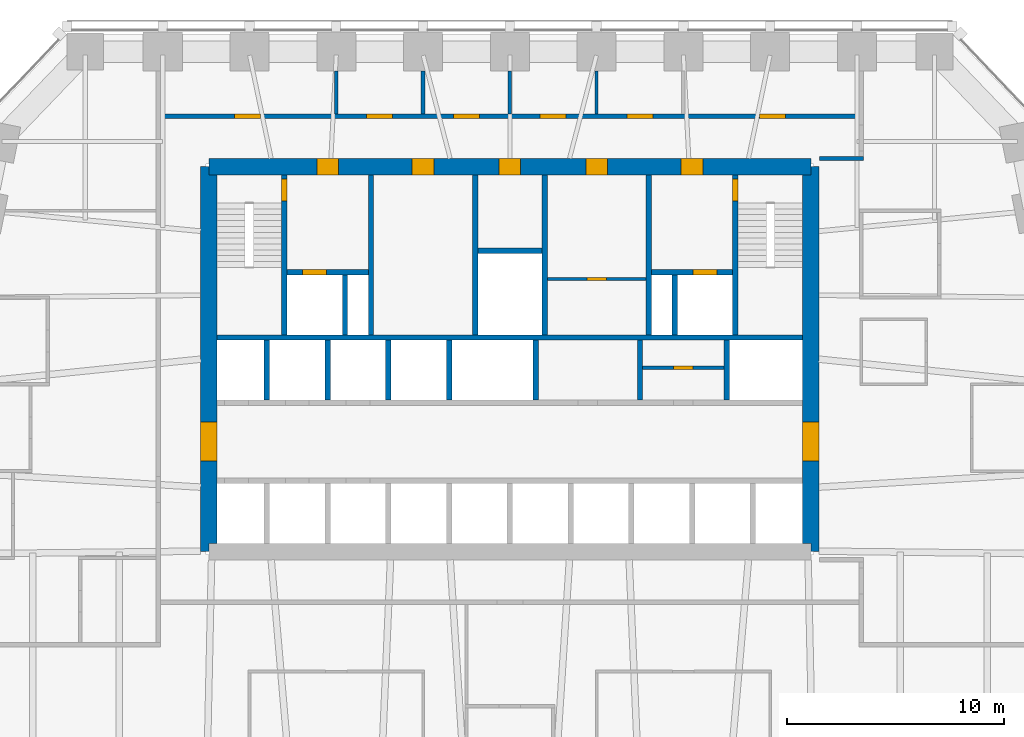
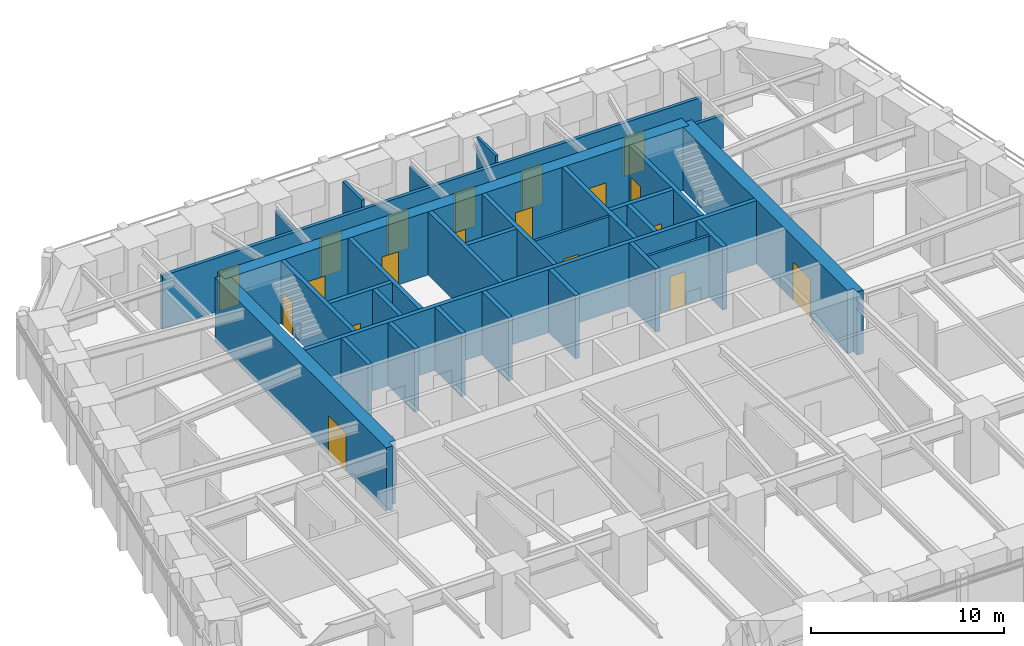
# One storey, part 7 of 10: 30 walls, 19 doors, 19 openings.
"""IFC4 building model written with IfcOpenShell, lengths in metres."""

from ifc_helpers import new_model, si_unit, direction, frame, frame_2d, origin, place, context, subcontext, project, spatial, polyline, rectangle, outline, extrude, material, layer, layer_set, type_object, element, fill, save


model = new_model("IFC4")

# Units and contexts
model_context = context("Model", 3, precision=1e-05, world=origin(), true_north=direction((0.0, 1.0)))
body_context = subcontext(model_context, "Body", "Model", "MODEL_VIEW")
ifc_project = project(units=[si_unit("LENGTHUNIT", "METRE"), si_unit("AREAUNIT", "SQUARE_METRE"), si_unit("VOLUMEUNIT", "CUBIC_METRE"), si_unit("PLANEANGLEUNIT", "RADIAN"), si_unit("MASSUNIT", "GRAM", prefix="KILO")], contexts=[model_context])

# Site, building, storey
site_placement = place(None, origin())
site = spatial("IfcSite", under=ifc_project, at=site_placement, CompositionType="ELEMENT")
building_placement = place(site_placement, origin())
building = spatial("IfcBuilding", under=site, at=building_placement, Name="Isbrekke Arena Tower", CompositionType="ELEMENT")
storey_placement = place(building_placement, frame((0.0, 0.0, 123.0)))
storey = spatial("IfcBuildingStorey", under=building, at=storey_placement, Name="L27", CompositionType="ELEMENT", Elevation=123.0)

# Wall, opening, door
ifc_material_1 = material(Name="Concrete B55 (C55/67)", Category="concrete")
ifc_layer_1 = layer(ifc_material_1, 0.75)
ifc_layer_set_1 = layer_set([ifc_layer_1], Name="CW3 CORE WALL 750")
wall_type_1 = type_object("IfcWallType", Name="CW3 CORE WALL 750", PredefinedType="SHEAR", material=ifc_layer_set_1)
wall_1_placement = place(storey_placement, frame((13.875, 6.125, 0.0), z_axis=(0.0, 0.0, 1.0), x_axis=(0.0, 1.0, 0.0)))
wall_1 = element("IfcWall", 1, at=wall_1_placement, inside=storey, type_object=wall_type_1, Name="Core wall E L27", PredefinedType="SHEAR", context=body_context, shape_type="SweptSolid", body=[
    extrude(outline(polyline([(0.0, -0.375), (17.75, -0.375), (17.75, 0.0), (17.375, 0.0), (17.375, 0.375), (0.375, 0.375), (0.375, 0.0), (0.0, 0.0), (0.0, -0.375)])), origin(), (0.0, 0.0, 1.0), 4.0),
])
opening_1_placement = place(wall_1_placement, frame((4.175048828125, 0.0, 0.0)))
opening_1 = element("IfcOpeningElement", 2, at=opening_1_placement, cuts=wall_1, Name="Opening D1", PredefinedType="OPENING", context=body_context, shape_type="SweptSolid", body=[
    extrude(rectangle(XDim=1.800048828125, YDim=2.39990234375, at=frame_2d((0.89990234375, 1.199951171875))), frame((0.0, 0.389892578125, 0.0), z_axis=(0.0, -1.0, 0.0), x_axis=(1.0, 0.0, 0.0)), (0.0, 0.0, 1.0), 0.77978515625),
])
ifc_material_2 = material(Name="Steel-framed glazed fire door", Category="steel")
door_type_1 = type_object("IfcDoorType", Name="D1 CORE LOBBY DOOR 1800 x 2400", OperationType="DOUBLE_DOOR_SINGLE_SWING", PredefinedType="DOOR", material=ifc_material_2)
door_1_placement = place(opening_1_placement, origin())
door_1 = element("IfcDoor", 3, at=door_1_placement, inside=storey, type_object=door_type_1, Name="D1 lift lobby door east L27", OperationType="DOUBLE_DOOR_SINGLE_SWING", OverallHeight=2.39990234375, OverallWidth=1.800048828125, PredefinedType="DOOR", context=body_context, shape_type="SweptSolid", body=[
    extrude(rectangle(XDim=1.800048828125, YDim=2.39990234375, at=frame_2d((0.89990234375, 1.199951171875))), frame((0.0, 0.374755859375, 0.0), z_axis=(0.0, -1.0, 0.0), x_axis=(1.0, 0.0, 0.0)), (0.0, 0.0, 1.0), 0.74951171875),
])
fill(opening_1, door_1)

# Wall, openings, doors
wall_2_placement = place(storey_placement, frame((13.875, 23.875, 0.0), z_axis=(0.0, 0.0, 1.0), x_axis=(-1.0, 0.0, 0.0)))
wall_2 = element("IfcWall", 4, at=wall_2_placement, inside=storey, type_object=wall_type_1, Name="Core wall N L27", PredefinedType="SHEAR", context=body_context, shape_type="SweptSolid", body=[
    extrude(rectangle(XDim=27.75, YDim=0.75, at=frame_2d((13.875, 0.0))), origin(), (0.0, 0.0, 1.0), 4.0),
])
opening_2_placement = place(wall_2_placement, frame((21.77490234375, 0.0, 0.0)))
opening_2 = element("IfcOpeningElement", 5, at=opening_2_placement, cuts=wall_2, Name="Opening D3", PredefinedType="OPENING", context=body_context, shape_type="SweptSolid", body=[
    extrude(rectangle(XDim=1.0, YDim=2.10009765625, at=frame_2d((0.5, 1.050048828125))), frame((0.0, 0.389892578125, 0.0), z_axis=(0.0, -1.0, 0.0), x_axis=(1.0, 0.0, 0.0)), (0.0, 0.0, 1.0), 0.77978515625),
])
opening_3_placement = place(wall_2_placement, frame((4.97509765625, 0.0, 0.0)))
opening_3 = element("IfcOpeningElement", 6, at=opening_3_placement, cuts=wall_2, Name="Opening D3", PredefinedType="OPENING", context=body_context, shape_type="SweptSolid", body=[
    extrude(rectangle(XDim=1.0, YDim=2.10009765625, at=frame_2d((0.5, 1.050048828125))), frame((0.0, 0.389892578125, 0.0), z_axis=(0.0, -1.0, 0.0), x_axis=(1.0, 0.0, 0.0)), (0.0, 0.0, 1.0), 0.77978515625),
])
opening_4_placement = place(wall_2_placement, frame((17.375, 0.0, 0.0)))
opening_4 = element("IfcOpeningElement", 7, at=opening_4_placement, cuts=wall_2, Name="Opening D4", PredefinedType="OPENING", context=body_context, shape_type="SweptSolid", body=[
    extrude(rectangle(XDim=1.0, YDim=2.10009765625, at=frame_2d((0.5, 1.050048828125))), frame((0.0, 0.389892578125, 0.0), z_axis=(0.0, -1.0, 0.0), x_axis=(1.0, 0.0, 0.0)), (0.0, 0.0, 1.0), 0.77978515625),
])
opening_5_placement = place(wall_2_placement, frame((13.375, 0.0, 0.0)))
opening_5 = element("IfcOpeningElement", 8, at=opening_5_placement, cuts=wall_2, Name="Opening D4", PredefinedType="OPENING", context=body_context, shape_type="SweptSolid", body=[
    extrude(rectangle(XDim=1.0, YDim=2.10009765625, at=frame_2d((0.5, 1.050048828125))), frame((0.0, 0.389892578125, 0.0), z_axis=(0.0, -1.0, 0.0), x_axis=(1.0, 0.0, 0.0)), (0.0, 0.0, 1.0), 0.77978515625),
])
opening_6_placement = place(wall_2_placement, frame((9.375, 0.0, 0.0)))
opening_6 = element("IfcOpeningElement", 9, at=opening_6_placement, cuts=wall_2, Name="Opening D4", PredefinedType="OPENING", context=body_context, shape_type="SweptSolid", body=[
    extrude(rectangle(XDim=1.0, YDim=2.10009765625, at=frame_2d((0.5, 1.050048828125))), frame((0.0, 0.389892578125, 0.0), z_axis=(0.0, -1.0, 0.0), x_axis=(1.0, 0.0, 0.0)), (0.0, 0.0, 1.0), 0.77978515625),
])
ifc_material_3 = material(Name="Steel fire door", Category="steel")
door_type_2 = type_object("IfcDoorType", Name="D3 FIRE LOBBY DOOR 1000 x 2100", OperationType="SINGLE_SWING_RIGHT", PredefinedType="DOOR", material=ifc_material_3)
door_2_placement = place(opening_2_placement, origin())
door_2 = element("IfcDoor", 10, at=door_2_placement, inside=storey, type_object=door_type_2, Name="D3 fire-fighting lobby door L27", OperationType="SINGLE_SWING_RIGHT", OverallHeight=2.10009765625, OverallWidth=1.0, PredefinedType="DOOR", context=body_context, shape_type="SweptSolid", body=[
    extrude(rectangle(XDim=1.0, YDim=2.10009765625, at=frame_2d((0.5, 1.050048828125))), frame((0.0, 0.374755859375, 0.0), z_axis=(0.0, -1.0, 0.0), x_axis=(1.0, 0.0, 0.0)), (0.0, 0.0, 1.0), 0.74951171875),
])
fill(opening_2, door_2)
door_3_placement = place(opening_3_placement, origin())
door_3 = element("IfcDoor", 11, at=door_3_placement, inside=storey, type_object=door_type_2, Name="D3 fire-fighting lobby door L27", OperationType="SINGLE_SWING_RIGHT", OverallHeight=2.10009765625, OverallWidth=1.0, PredefinedType="DOOR", context=body_context, shape_type="SweptSolid", body=[
    extrude(rectangle(XDim=1.0, YDim=2.10009765625, at=frame_2d((0.5, 1.050048828125))), frame((0.0, 0.374755859375, 0.0), z_axis=(0.0, -1.0, 0.0), x_axis=(1.0, 0.0, 0.0)), (0.0, 0.0, 1.0), 0.74951171875),
])
fill(opening_3, door_3)
ifc_material_4 = material(Name="Timber door", Category="wood")
door_type_3 = type_object("IfcDoorType", Name="D4 WC DOOR 1000 x 2100", OperationType="SINGLE_SWING_LEFT", PredefinedType="DOOR", material=ifc_material_4)
door_4_placement = place(opening_4_placement, origin())
door_4 = element("IfcDoor", 12, at=door_4_placement, inside=storey, type_object=door_type_3, Name="D4 wc female door L27", OperationType="SINGLE_SWING_LEFT", OverallHeight=2.10009765625, OverallWidth=1.0, PredefinedType="DOOR", context=body_context, shape_type="SweptSolid", body=[
    extrude(rectangle(XDim=1.0, YDim=2.10009765625, at=frame_2d((0.5, 1.050048828125))), frame((0.0, 0.374755859375, 0.0), z_axis=(0.0, -1.0, 0.0), x_axis=(1.0, 0.0, 0.0)), (0.0, 0.0, 1.0), 0.74951171875),
])
fill(opening_4, door_4)
door_5_placement = place(opening_5_placement, origin())
door_5 = element("IfcDoor", 13, at=door_5_placement, inside=storey, type_object=door_type_3, Name="D4 accessible wc door L27", OperationType="SINGLE_SWING_LEFT", OverallHeight=2.10009765625, OverallWidth=1.0, PredefinedType="DOOR", context=body_context, shape_type="SweptSolid", body=[
    extrude(rectangle(XDim=1.0, YDim=2.10009765625, at=frame_2d((0.5, 1.050048828125))), frame((0.0, 0.374755859375, 0.0), z_axis=(0.0, -1.0, 0.0), x_axis=(1.0, 0.0, 0.0)), (0.0, 0.0, 1.0), 0.74951171875),
])
fill(opening_5, door_5)
door_6_placement = place(opening_6_placement, origin())
door_6 = element("IfcDoor", 14, at=door_6_placement, inside=storey, type_object=door_type_3, Name="D4 wc male door L27", OperationType="SINGLE_SWING_LEFT", OverallHeight=2.10009765625, OverallWidth=1.0, PredefinedType="DOOR", context=body_context, shape_type="SweptSolid", body=[
    extrude(rectangle(XDim=1.0, YDim=2.10009765625, at=frame_2d((0.5, 1.050048828125))), frame((0.0, 0.374755859375, 0.0), z_axis=(0.0, -1.0, 0.0), x_axis=(1.0, 0.0, 0.0)), (0.0, 0.0, 1.0), 0.74951171875),
])
fill(opening_6, door_6)

# Wall, opening, door
wall_3_placement = place(storey_placement, frame((-13.875, 23.875, 0.0), z_axis=(0.0, 0.0, 1.0), x_axis=(0.0, -1.0, 0.0)))
wall_3 = element("IfcWall", 15, at=wall_3_placement, inside=storey, type_object=wall_type_1, Name="Core wall W L27", PredefinedType="SHEAR", context=body_context, shape_type="SweptSolid", body=[
    extrude(outline(polyline([(0.0, -0.375), (17.75, -0.375), (17.75, 0.0), (17.375, 0.0), (17.375, 0.375), (0.375, 0.375), (0.375, 0.0), (0.0, 0.0), (0.0, -0.375)])), origin(), (0.0, 0.0, 1.0), 4.0),
])
opening_7_placement = place(wall_3_placement, frame((11.77490234375, 0.0, 0.0)))
opening_7 = element("IfcOpeningElement", 16, at=opening_7_placement, cuts=wall_3, Name="Opening D1", PredefinedType="OPENING", context=body_context, shape_type="SweptSolid", body=[
    extrude(rectangle(XDim=1.800048828125, YDim=2.39990234375, at=frame_2d((0.89990234375, 1.199951171875))), frame((0.0, 0.389892578125, 0.0), z_axis=(0.0, -1.0, 0.0), x_axis=(1.0, 0.0, 0.0)), (0.0, 0.0, 1.0), 0.77978515625),
])
door_7_placement = place(opening_7_placement, origin())
door_7 = element("IfcDoor", 17, at=door_7_placement, inside=storey, type_object=door_type_1, Name="D1 lift lobby door west L27", OperationType="DOUBLE_DOOR_SINGLE_SWING", OverallHeight=2.39990234375, OverallWidth=1.800048828125, PredefinedType="DOOR", context=body_context, shape_type="SweptSolid", body=[
    extrude(rectangle(XDim=1.800048828125, YDim=2.39990234375, at=frame_2d((0.89990234375, 1.199951171875))), frame((0.0, 0.374755859375, 0.0), z_axis=(0.0, -1.0, 0.0), x_axis=(1.0, 0.0, 0.0)), (0.0, 0.0, 1.0), 0.74951171875),
])
fill(opening_7, door_7)

# Walls
ifc_material_5 = material(Name="Concrete B45 (C45/55)", Category="concrete")
ifc_layer_2 = layer(ifc_material_5, 0.25)
ifc_layer_set_2 = layer_set([ifc_layer_2], Name="CW6 SHAFT WALL 250")
wall_type_2 = type_object("IfcWallType", Name="CW6 SHAFT WALL 250", PredefinedType="SHEAR", material=ifc_layer_set_2)
wall_4_placement = place(storey_placement, frame((-13.5, 16.0, 0.0), z_axis=(0.0, 0.0, 1.0), x_axis=(1.0, 0.0, 0.0)))
element("IfcWall", 18, at=wall_4_placement, inside=storey, type_object=wall_type_2, Name="Core wall NB L27", PredefinedType="SHEAR", context=body_context, shape_type="SweptSolid", body=[
    extrude(rectangle(XDim=27.0, YDim=0.25, at=frame_2d((13.5, 0.0))), origin(), (0.0, 0.0, 1.0), 4.0),
])
for number, where, z_axis, x_axis, name in (
    (19, (-11.199951171875, 13.125, 0.0), (0.0, 0.0, 1.0), (0.0, 1.0, 0.0), "Core wall SN01 L27"),
    (20, (-8.39990234375, 13.125, 0.0), (0.0, 0.0, 1.0), (0.0, 1.0, 0.0), "Core wall SN02 L27"),
    (21, (-5.60009765625, 13.125, 0.0), (0.0, 0.0, 1.0), (0.0, 1.0, 0.0), "Core wall SN03 L27"),
    (22, (-2.800048828125, 13.125, 0.0), (0.0, 0.0, 1.0), (0.0, 1.0, 0.0), "Core wall SN04 L27"),
    (23, (1.199951171875, 13.125, 0.0), (0.0, 0.0, 1.0), (0.0, 1.0, 0.0), "Core wall SN05 L27"),
    (24, (6.0, 13.125, 0.0), (0.0, 0.0, 1.0), (0.0, 1.0, 0.0), "Core wall SN06 L27"),
    (25, (10.0, 13.125, 0.0), (0.0, 0.0, 1.0), (0.0, 1.0, 0.0), "Core wall SN07 L27"),
):
    element("IfcWall", number, at=place(storey_placement, frame(where, z_axis=z_axis, x_axis=x_axis)), inside=storey, type_object=wall_type_2, Name=name, PredefinedType="SHEAR", context=body_context, shape_type="SweptSolid", body=[
        extrude(rectangle(XDim=2.75, YDim=0.25, at=frame_2d((1.375, 0.0))), origin(), (0.0, 0.0, 1.0), 4.0),
    ])

# Wall, opening, door
wall_5_placement = place(storey_placement, frame((-10.39990234375, 16.125, 0.0), z_axis=(0.0, 0.0, 1.0), x_axis=(0.0, 1.0, 0.0)))
wall_5 = element("IfcWall", 26, at=wall_5_placement, inside=storey, type_object=wall_type_2, Name="Core wall NV01 L27", PredefinedType="SHEAR", context=body_context, shape_type="SweptSolid", body=[
    extrude(rectangle(XDim=7.375, YDim=0.25, at=frame_2d((3.6875, 0.0))), origin(), (0.0, 0.0, 1.0), 4.0),
])
opening_8_placement = place(wall_5_placement, frame((6.175048828125, 0.0, 0.0)))
opening_8 = element("IfcOpeningElement", 27, at=opening_8_placement, cuts=wall_5, Name="Opening D2", PredefinedType="OPENING", context=body_context, shape_type="SweptSolid", body=[
    extrude(rectangle(XDim=1.0, YDim=2.10009765625, at=frame_2d((0.5, 1.050048828125))), frame((0.0, 0.139892578125, 0.0), z_axis=(0.0, -1.0, 0.0), x_axis=(1.0, 0.0, 0.0)), (0.0, 0.0, 1.0), 0.27978515625),
])
ifc_material_6 = material(Name="Steel fire door", Category="steel")
door_type_4 = type_object("IfcDoorType", Name="D2 STAIR DOOR 1000 x 2100", OperationType="SINGLE_SWING_LEFT", PredefinedType="DOOR", material=ifc_material_6)
door_8_placement = place(opening_8_placement, origin())
door_8 = element("IfcDoor", 28, at=door_8_placement, inside=storey, type_object=door_type_4, Name="D2 stair door ST1 L27", OperationType="SINGLE_SWING_LEFT", OverallHeight=2.10009765625, OverallWidth=1.0, PredefinedType="DOOR", context=body_context, shape_type="SweptSolid", body=[
    extrude(rectangle(XDim=1.0, YDim=2.10009765625, at=frame_2d((0.5, 1.050048828125))), frame((0.0, 0.124755859375, 0.0), z_axis=(0.0, -1.0, 0.0), x_axis=(1.0, 0.0, 0.0)), (0.0, 0.0, 1.0), 0.24951171875),
])
fill(opening_8, door_8)

# Walls
for number, where, z_axis, x_axis, name in (
    (29, (-6.39990234375, 16.125, 0.0), (0.0, 0.0, 1.0), (0.0, 1.0, 0.0), "Core wall NV02 L27"),
    (30, (-1.60009765625, 16.125, 0.0), (0.0, 0.0, 1.0), (0.0, 1.0, 0.0), "Core wall NV03 L27"),
    (31, (1.60009765625, 16.125, 0.0), (0.0, 0.0, 1.0), (0.0, 1.0, 0.0), "Core wall NV04 L27"),
    (32, (6.39990234375, 16.125, 0.0), (0.0, 0.0, 1.0), (0.0, 1.0, 0.0), "Core wall NV05 L27"),
):
    element("IfcWall", number, at=place(storey_placement, frame(where, z_axis=z_axis, x_axis=x_axis)), inside=storey, type_object=wall_type_2, Name=name, PredefinedType="SHEAR", context=body_context, shape_type="SweptSolid", body=[
        extrude(rectangle(XDim=7.375, YDim=0.25, at=frame_2d((3.6875, 0.0))), origin(), (0.0, 0.0, 1.0), 4.0),
    ])

# Wall, opening, door
wall_6_placement = place(storey_placement, frame((10.39990234375, 16.125, 0.0), z_axis=(0.0, 0.0, 1.0), x_axis=(0.0, 1.0, 0.0)))
wall_6 = element("IfcWall", 33, at=wall_6_placement, inside=storey, type_object=wall_type_2, Name="Core wall NV06 L27", PredefinedType="SHEAR", context=body_context, shape_type="SweptSolid", body=[
    extrude(rectangle(XDim=7.375, YDim=0.25, at=frame_2d((3.6875, 0.0))), origin(), (0.0, 0.0, 1.0), 4.0),
])
opening_9_placement = place(wall_6_placement, frame((6.175048828125, 0.0, 0.0)))
opening_9 = element("IfcOpeningElement", 34, at=opening_9_placement, cuts=wall_6, Name="Opening D2", PredefinedType="OPENING", context=body_context, shape_type="SweptSolid", body=[
    extrude(rectangle(XDim=1.0, YDim=2.10009765625, at=frame_2d((0.5, 1.050048828125))), frame((0.0, 0.139892578125, 0.0), z_axis=(0.0, -1.0, 0.0), x_axis=(1.0, 0.0, 0.0)), (0.0, 0.0, 1.0), 0.27978515625),
])
door_9_placement = place(opening_9_placement, origin())
door_9 = element("IfcDoor", 35, at=door_9_placement, inside=storey, type_object=door_type_4, Name="D2 stair door ST2 L27", OperationType="SINGLE_SWING_LEFT", OverallHeight=2.10009765625, OverallWidth=1.0, PredefinedType="DOOR", context=body_context, shape_type="SweptSolid", body=[
    extrude(rectangle(XDim=1.0, YDim=2.10009765625, at=frame_2d((0.5, 1.050048828125))), frame((0.0, 0.124755859375, 0.0), z_axis=(0.0, -1.0, 0.0), x_axis=(1.0, 0.0, 0.0)), (0.0, 0.0, 1.0), 0.24951171875),
])
fill(opening_9, door_9)

wall_7_placement = place(storey_placement, frame((-10.27490234375, 19.0, 0.0), z_axis=(0.0, 0.0, 1.0), x_axis=(1.0, 0.0, 0.0)))
wall_7 = element("IfcWall", 36, at=wall_7_placement, inside=storey, type_object=wall_type_2, Name="Core wall NFW L27", PredefinedType="SHEAR", context=body_context, shape_type="SweptSolid", body=[
    extrude(rectangle(XDim=3.75, YDim=0.25, at=frame_2d((1.875, 0.0))), origin(), (0.0, 0.0, 1.0), 4.0),
])
opening_10_placement = place(wall_7_placement, frame((0.72509765625, 0.0, 0.0)))
opening_10 = element("IfcOpeningElement", 37, at=opening_10_placement, cuts=wall_7, Name="Opening LD2", PredefinedType="OPENING", context=body_context, shape_type="SweptSolid", body=[
    extrude(rectangle(XDim=1.10009765625, YDim=2.10009765625, at=frame_2d((0.550048828125, 1.050048828125))), frame((0.0, 0.139892578125, 0.0), z_axis=(0.0, -1.0, 0.0), x_axis=(1.0, 0.0, 0.0)), (0.0, 0.0, 1.0), 0.27978515625),
])
ifc_material_7 = material(Name="Stainless steel lift landing door", Category="steel")
door_type_5 = type_object("IfcDoorType", Name="LD2 FIRE-FIGHTING LIFT LANDING DOOR 1100 x 2100", OperationType="SLIDING_TO_RIGHT", PredefinedType="DOOR", material=ifc_material_7)
door_10_placement = place(opening_10_placement, origin())
door_10 = element("IfcDoor", 38, at=door_10_placement, inside=storey, type_object=door_type_5, Name="LD2 lift landing door LF L27", OperationType="SLIDING_TO_RIGHT", OverallHeight=2.10009765625, OverallWidth=1.10009765625, PredefinedType="DOOR", context=body_context, shape_type="SweptSolid", body=[
    extrude(rectangle(XDim=1.10009765625, YDim=2.10009765625, at=frame_2d((0.550048828125, 1.050048828125))), frame((0.0, 0.124755859375, 0.0), z_axis=(0.0, -1.0, 0.0), x_axis=(1.0, 0.0, 0.0)), (0.0, 0.0, 1.0), 0.24951171875),
])
fill(opening_10, door_10)

wall_8_placement = place(storey_placement, frame((6.52490234375, 19.0, 0.0), z_axis=(0.0, 0.0, 1.0), x_axis=(1.0, 0.0, 0.0)))
wall_8 = element("IfcWall", 39, at=wall_8_placement, inside=storey, type_object=wall_type_2, Name="Core wall NFE L27", PredefinedType="SHEAR", context=body_context, shape_type="SweptSolid", body=[
    extrude(rectangle(XDim=3.75, YDim=0.25, at=frame_2d((1.875, 0.0))), origin(), (0.0, 0.0, 1.0), 4.0),
])
opening_11_placement = place(wall_8_placement, frame((1.925048828125, 0.0, 0.0)))
opening_11 = element("IfcOpeningElement", 40, at=opening_11_placement, cuts=wall_8, Name="Opening LD2", PredefinedType="OPENING", context=body_context, shape_type="SweptSolid", body=[
    extrude(rectangle(XDim=1.10009765625, YDim=2.10009765625, at=frame_2d((0.550048828125, 1.050048828125))), frame((0.0, 0.139892578125, 0.0), z_axis=(0.0, -1.0, 0.0), x_axis=(1.0, 0.0, 0.0)), (0.0, 0.0, 1.0), 0.27978515625),
])
door_11_placement = place(opening_11_placement, origin())
door_11 = element("IfcDoor", 41, at=door_11_placement, inside=storey, type_object=door_type_5, Name="LD2 lift landing door LF L27", OperationType="SLIDING_TO_RIGHT", OverallHeight=2.10009765625, OverallWidth=1.10009765625, PredefinedType="DOOR", context=body_context, shape_type="SweptSolid", body=[
    extrude(rectangle(XDim=1.10009765625, YDim=2.10009765625, at=frame_2d((0.550048828125, 1.050048828125))), frame((0.0, 0.124755859375, 0.0), z_axis=(0.0, -1.0, 0.0), x_axis=(1.0, 0.0, 0.0)), (0.0, 0.0, 1.0), 0.24951171875),
])
fill(opening_11, door_11)

# Walls
for number, where, z_axis, x_axis, name in (
    (42, (-7.60009765625, 16.125, 0.0), (0.0, 0.0, 1.0), (0.0, 1.0, 0.0), "Core wall NFS1 L27"),
    (43, (7.60009765625, 16.125, 0.0), (0.0, 0.0, 1.0), (0.0, 1.0, 0.0), "Core wall NFS2 L27"),
):
    element("IfcWall", number, at=place(storey_placement, frame(where, z_axis=z_axis, x_axis=x_axis)), inside=storey, type_object=wall_type_2, Name=name, PredefinedType="SHEAR", context=body_context, shape_type="SweptSolid", body=[
        extrude(rectangle(XDim=2.75, YDim=0.25, at=frame_2d((1.375, 0.0))), origin(), (0.0, 0.0, 1.0), 4.0),
    ])
wall_9_placement = place(storey_placement, frame((-1.47509765625, 20.0, 0.0), z_axis=(0.0, 0.0, 1.0), x_axis=(1.0, 0.0, 0.0)))
element("IfcWall", 44, at=wall_9_placement, inside=storey, type_object=wall_type_2, Name="Core wall NWC L27", PredefinedType="SHEAR", context=body_context, shape_type="SweptSolid", body=[
    extrude(rectangle(XDim=2.9501953125, YDim=0.25, at=frame_2d((1.47509765625, 0.0))), origin(), (0.0, 0.0, 1.0), 4.0),
])
ifc_material_8 = material(Name="Gypsum board partition on steel studs", Category="steel")
ifc_layer_3 = layer(ifc_material_8, 0.14990234375)
ifc_layer_set_3 = layer_set([ifc_layer_3], Name="IW1 PARTITION 150")
wall_type_3 = type_object("IfcWallType", Name="IW1 PARTITION 150", PredefinedType="PARTITIONING", material=ifc_layer_set_3)
wall_10_placement = place(storey_placement, frame((0.0, 26.300048828125, 0.0), z_axis=(0.0, 0.0, 1.0), x_axis=(0.0, 1.0, 0.0)))
element("IfcWall", 45, at=wall_10_placement, inside=storey, type_object=wall_type_3, Name="IW1 partition 150 L27", PredefinedType="PARTITIONING", context=body_context, shape_type="SweptSolid", body=[
    extrude(rectangle(XDim=1.974853515625, YDim=0.14990234375, at=frame_2d((0.9873046875, 0.0))), origin(), (0.0, 0.0, 1.0), 3.39990234375),
])
wall_11_placement = place(storey_placement, frame((4.0, 26.300048828125, 0.0), z_axis=(0.0, 0.0, 1.0), x_axis=(0.0, 1.0, 0.0)))
element("IfcWall", 46, at=wall_11_placement, inside=storey, type_object=wall_type_3, Name="IW1 partition 150 L27", PredefinedType="PARTITIONING", context=body_context, shape_type="SweptSolid", body=[
    extrude(rectangle(XDim=1.974853515625, YDim=0.14990234375, at=frame_2d((0.9873046875, 0.0))), origin(), (0.0, 0.0, 1.0), 3.85009765625),
])
ifc_material_9 = material(Name="Gypsum board fire-cell wall on steel studs, two layers each side", Category="steel")
ifc_layer_4 = layer(ifc_material_9, 0.199951171875)
ifc_layer_set_4 = layer_set([ifc_layer_4], Name="IW3 FIRE-CELL WALL 200")
wall_type_4 = type_object("IfcWallType", Name="IW3 FIRE-CELL WALL 200", PredefinedType="PARTITIONING", material=ifc_layer_set_4)
wall_12_placement = place(storey_placement, frame((14.280029296875, 24.25, 0.0), z_axis=(0.0, 0.0, 1.0), x_axis=(1.0, 0.0, 0.0)))
element("IfcWall", 47, at=wall_12_placement, inside=storey, type_object=wall_type_4, Name="IW3 fire-cell wall 200 L27", PredefinedType="PARTITIONING", context=body_context, shape_type="SweptSolid", body=[
    extrude(rectangle(XDim=2.02001953125, YDim=0.199951171875, at=frame_2d((1.010009765625, 0.0))), origin(), (0.0, 0.0, 1.0), 3.39990234375),
])

# Wall, openings, doors
wall_13_placement = place(storey_placement, frame((-16.10009765625, 26.199951171875, 0.0), z_axis=(0.0, 0.0, 1.0), x_axis=(1.0, 0.0, 0.0)))
wall_13 = element("IfcWall", 48, at=wall_13_placement, inside=storey, type_object=wall_type_4, Name="IW3 fire-cell wall 200 L27", PredefinedType="PARTITIONING", context=body_context, shape_type="SweptSolid", body=[
    extrude(rectangle(XDim=32.2001953125, YDim=0.199951171875, at=frame_2d((16.10009765625, 0.0))), origin(), (0.0, 0.0, 1.0), 3.39990234375),
])
opening_12_placement = place(wall_13_placement, frame((3.39990234375, 0.0, 0.0)))
opening_12 = element("IfcOpeningElement", 49, at=opening_12_placement, cuts=wall_13, Name="Opening D12", PredefinedType="OPENING", context=body_context, shape_type="SweptSolid", body=[
    extrude(rectangle(XDim=1.199951171875, YDim=2.39990234375, at=frame_2d((0.60009765625, 1.199951171875))), frame((0.0, 0.11474609375, 0.0), z_axis=(0.0, -1.0, 0.0), x_axis=(1.0, 0.0, 0.0)), (0.0, 0.0, 1.0), 0.229736328125),
])
opening_13_placement = place(wall_13_placement, frame((9.5, 0.0, 0.0)))
opening_13 = element("IfcOpeningElement", 50, at=opening_13_placement, cuts=wall_13, Name="Opening D12", PredefinedType="OPENING", context=body_context, shape_type="SweptSolid", body=[
    extrude(rectangle(XDim=1.199951171875, YDim=2.39990234375, at=frame_2d((0.60009765625, 1.199951171875))), frame((0.0, 0.11474609375, 0.0), z_axis=(0.0, -1.0, 0.0), x_axis=(1.0, 0.0, 0.0)), (0.0, 0.0, 1.0), 0.229736328125),
])
opening_14_placement = place(wall_13_placement, frame((13.5, 0.0, 0.0)))
opening_14 = element("IfcOpeningElement", 51, at=opening_14_placement, cuts=wall_13, Name="Opening D12", PredefinedType="OPENING", context=body_context, shape_type="SweptSolid", body=[
    extrude(rectangle(XDim=1.199951171875, YDim=2.39990234375, at=frame_2d((0.60009765625, 1.199951171875))), frame((0.0, 0.11474609375, 0.0), z_axis=(0.0, -1.0, 0.0), x_axis=(1.0, 0.0, 0.0)), (0.0, 0.0, 1.0), 0.229736328125),
])
opening_15_placement = place(wall_13_placement, frame((17.5, 0.0, 0.0)))
opening_15 = element("IfcOpeningElement", 52, at=opening_15_placement, cuts=wall_13, Name="Opening D12", PredefinedType="OPENING", context=body_context, shape_type="SweptSolid", body=[
    extrude(rectangle(XDim=1.199951171875, YDim=2.39990234375, at=frame_2d((0.60009765625, 1.199951171875))), frame((0.0, 0.11474609375, 0.0), z_axis=(0.0, -1.0, 0.0), x_axis=(1.0, 0.0, 0.0)), (0.0, 0.0, 1.0), 0.229736328125),
])
opening_16_placement = place(wall_13_placement, frame((21.5, 0.0, 0.0)))
opening_16 = element("IfcOpeningElement", 53, at=opening_16_placement, cuts=wall_13, Name="Opening D12", PredefinedType="OPENING", context=body_context, shape_type="SweptSolid", body=[
    extrude(rectangle(XDim=1.199951171875, YDim=2.39990234375, at=frame_2d((0.60009765625, 1.199951171875))), frame((0.0, 0.11474609375, 0.0), z_axis=(0.0, -1.0, 0.0), x_axis=(1.0, 0.0, 0.0)), (0.0, 0.0, 1.0), 0.229736328125),
])
opening_17_placement = place(wall_13_placement, frame((27.60009765625, 0.0, 0.0)))
opening_17 = element("IfcOpeningElement", 54, at=opening_17_placement, cuts=wall_13, Name="Opening D12", PredefinedType="OPENING", context=body_context, shape_type="SweptSolid", body=[
    extrude(rectangle(XDim=1.199951171875, YDim=2.39990234375, at=frame_2d((0.60009765625, 1.199951171875))), frame((0.0, 0.11474609375, 0.0), z_axis=(0.0, -1.0, 0.0), x_axis=(1.0, 0.0, 0.0)), (0.0, 0.0, 1.0), 0.229736328125),
])
ifc_material_10 = material(Name="Timber fire door with vision panel", Category="wood")
door_type_6 = type_object("IfcDoorType", Name="D12 SUITE ENTRANCE DOOR 1200 x 2400", OperationType="SINGLE_SWING_LEFT", PredefinedType="DOOR", material=ifc_material_10)
door_12_placement = place(opening_12_placement, origin())
door_12 = element("IfcDoor", 55, at=door_12_placement, inside=storey, type_object=door_type_6, Name="D12 meeting room door L27", OperationType="SINGLE_SWING_LEFT", OverallHeight=2.39990234375, OverallWidth=1.199951171875, PredefinedType="DOOR", context=body_context, shape_type="SweptSolid", body=[
    extrude(rectangle(XDim=1.199951171875, YDim=2.39990234375, at=frame_2d((0.60009765625, 1.199951171875))), frame((0.0, 0.099609375, 0.0), z_axis=(0.0, -1.0, 0.0), x_axis=(1.0, 0.0, 0.0)), (0.0, 0.0, 1.0), 0.199462890625),
])
fill(opening_12, door_12)
door_13_placement = place(opening_13_placement, origin())
door_13 = element("IfcDoor", 56, at=door_13_placement, inside=storey, type_object=door_type_6, Name="D12 focus room door L27", OperationType="SINGLE_SWING_LEFT", OverallHeight=2.39990234375, OverallWidth=1.199951171875, PredefinedType="DOOR", context=body_context, shape_type="SweptSolid", body=[
    extrude(rectangle(XDim=1.199951171875, YDim=2.39990234375, at=frame_2d((0.60009765625, 1.199951171875))), frame((0.0, 0.099609375, 0.0), z_axis=(0.0, -1.0, 0.0), x_axis=(1.0, 0.0, 0.0)), (0.0, 0.0, 1.0), 0.199462890625),
])
fill(opening_13, door_13)
door_14_placement = place(opening_14_placement, origin())
door_14 = element("IfcDoor", 57, at=door_14_placement, inside=storey, type_object=door_type_6, Name="D12 focus room door L27", OperationType="SINGLE_SWING_LEFT", OverallHeight=2.39990234375, OverallWidth=1.199951171875, PredefinedType="DOOR", context=body_context, shape_type="SweptSolid", body=[
    extrude(rectangle(XDim=1.199951171875, YDim=2.39990234375, at=frame_2d((0.60009765625, 1.199951171875))), frame((0.0, 0.099609375, 0.0), z_axis=(0.0, -1.0, 0.0), x_axis=(1.0, 0.0, 0.0)), (0.0, 0.0, 1.0), 0.199462890625),
])
fill(opening_14, door_14)
door_15_placement = place(opening_15_placement, origin())
door_15 = element("IfcDoor", 58, at=door_15_placement, inside=storey, type_object=door_type_6, Name="D12 print room door L27", OperationType="SINGLE_SWING_LEFT", OverallHeight=2.39990234375, OverallWidth=1.199951171875, PredefinedType="DOOR", context=body_context, shape_type="SweptSolid", body=[
    extrude(rectangle(XDim=1.199951171875, YDim=2.39990234375, at=frame_2d((0.60009765625, 1.199951171875))), frame((0.0, 0.099609375, 0.0), z_axis=(0.0, -1.0, 0.0), x_axis=(1.0, 0.0, 0.0)), (0.0, 0.0, 1.0), 0.199462890625),
])
fill(opening_15, door_15)
door_16_placement = place(opening_16_placement, origin())
door_16 = element("IfcDoor", 59, at=door_16_placement, inside=storey, type_object=door_type_6, Name="D12 store door L27", OperationType="SINGLE_SWING_LEFT", OverallHeight=2.39990234375, OverallWidth=1.199951171875, PredefinedType="DOOR", context=body_context, shape_type="SweptSolid", body=[
    extrude(rectangle(XDim=1.199951171875, YDim=2.39990234375, at=frame_2d((0.60009765625, 1.199951171875))), frame((0.0, 0.099609375, 0.0), z_axis=(0.0, -1.0, 0.0), x_axis=(1.0, 0.0, 0.0)), (0.0, 0.0, 1.0), 0.199462890625),
])
fill(opening_16, door_16)
door_17_placement = place(opening_17_placement, origin())
door_17 = element("IfcDoor", 60, at=door_17_placement, inside=storey, type_object=door_type_6, Name="D12 meeting room door L27", OperationType="SINGLE_SWING_LEFT", OverallHeight=2.39990234375, OverallWidth=1.199951171875, PredefinedType="DOOR", context=body_context, shape_type="SweptSolid", body=[
    extrude(rectangle(XDim=1.199951171875, YDim=2.39990234375, at=frame_2d((0.60009765625, 1.199951171875))), frame((0.0, 0.099609375, 0.0), z_axis=(0.0, -1.0, 0.0), x_axis=(1.0, 0.0, 0.0)), (0.0, 0.0, 1.0), 0.199462890625),
])
fill(opening_17, door_17)

# Walls
ifc_material_11 = material(Name="Gypsum board acoustic partition on twin steel studs", Category="steel")
ifc_layer_5 = layer(ifc_material_11, 0.175048828125)
ifc_layer_set_5 = layer_set([ifc_layer_5], Name="IW4 ACOUSTIC PARTITION 175")
wall_type_5 = type_object("IfcWallType", Name="IW4 ACOUSTIC PARTITION 175", PredefinedType="PARTITIONING", material=ifc_layer_set_5)
wall_14_placement = place(storey_placement, frame((-8.0, 26.300048828125, 0.0), z_axis=(0.0, 0.0, 1.0), x_axis=(0.0, 1.0, 0.0)))
element("IfcWall", 61, at=wall_14_placement, inside=storey, type_object=wall_type_5, Name="IW4 acoustic partition 175 L27", PredefinedType="PARTITIONING", context=body_context, shape_type="SweptSolid", body=[
    extrude(rectangle(XDim=1.974853515625, YDim=0.175048828125, at=frame_2d((0.9873046875, 0.0))), origin(), (0.0, 0.0, 1.0), 3.39990234375),
])
wall_15_placement = place(storey_placement, frame((-4.0, 26.300048828125, 0.0), z_axis=(0.0, 0.0, 1.0), x_axis=(0.0, 1.0, 0.0)))
element("IfcWall", 62, at=wall_15_placement, inside=storey, type_object=wall_type_5, Name="IW4 acoustic partition 175 L27", PredefinedType="PARTITIONING", context=body_context, shape_type="SweptSolid", body=[
    extrude(rectangle(XDim=1.974853515625, YDim=0.175048828125, at=frame_2d((0.9873046875, 0.0))), origin(), (0.0, 0.0, 1.0), 3.85009765625),
])

# Wall, opening, door
ifc_material_12 = material(Name="Gypsum board fire-rated partition on steel studs, two layers each side", Category="steel")
ifc_layer_6 = layer(ifc_material_12, 0.14990234375)
ifc_layer_set_6 = layer_set([ifc_layer_6], Name="IW5 FIRE-RATED PARTITION 150")
wall_type_6 = type_object("IfcWallType", Name="IW5 FIRE-RATED PARTITION 150", PredefinedType="PARTITIONING", material=ifc_layer_set_6)
wall_16_placement = place(storey_placement, frame((1.72509765625, 18.699951171875, 0.0), z_axis=(0.0, 0.0, 1.0), x_axis=(1.0, 0.0, 0.0)))
wall_16 = element("IfcWall", 63, at=wall_16_placement, inside=storey, type_object=wall_type_6, Name="IW5 fire-rated partition L27 cleaner's store M", PredefinedType="PARTITIONING", context=body_context, shape_type="SweptSolid", body=[
    extrude(rectangle(XDim=4.5498046875, YDim=0.14990234375, at=frame_2d((2.27490234375, 0.0))), origin(), (0.0, 0.0, 1.0), 3.85009765625),
])
opening_18_placement = place(wall_16_placement, frame((1.824951171875, 0.0, 0.0)))
opening_18 = element("IfcOpeningElement", 64, at=opening_18_placement, cuts=wall_16, Name="Opening D5", PredefinedType="OPENING", context=body_context, shape_type="SweptSolid", body=[
    extrude(rectangle(XDim=0.89990234375, YDim=2.10009765625, at=frame_2d((0.449951171875, 1.050048828125))), frame((0.0, 0.08984375, 0.0), z_axis=(0.0, -1.0, 0.0), x_axis=(1.0, 0.0, 0.0)), (0.0, 0.0, 1.0), 0.1796875),
])
ifc_material_13 = material(Name="Steel fire door", Category="steel")
door_type_7 = type_object("IfcDoorType", Name="D5 SERVICE DOOR 900 x 2100", OperationType="SINGLE_SWING_LEFT", PredefinedType="DOOR", material=ifc_material_13)
door_18_placement = place(opening_18_placement, origin())
door_18 = element("IfcDoor", 65, at=door_18_placement, inside=storey, type_object=door_type_7, Name="D5 cleaner's store door L27", OperationType="SINGLE_SWING_LEFT", OverallHeight=2.10009765625, OverallWidth=0.89990234375, PredefinedType="DOOR", context=body_context, shape_type="SweptSolid", body=[
    extrude(rectangle(XDim=0.89990234375, YDim=2.10009765625, at=frame_2d((0.449951171875, 1.050048828125))), frame((0.0, 0.07470703125, 0.0), z_axis=(0.0, -1.0, 0.0), x_axis=(1.0, 0.0, 0.0)), (0.0, 0.0, 1.0), 0.1494140625),
])
fill(opening_18, door_18)

wall_17_placement = place(storey_placement, frame((6.125, 14.60009765625, 0.0), z_axis=(0.0, 0.0, 1.0), x_axis=(1.0, 0.0, 0.0)))
wall_17 = element("IfcWall", 66, at=wall_17_placement, inside=storey, type_object=wall_type_6, Name="IW5 fire-rated partition L27 core service rooms 1", PredefinedType="PARTITIONING", context=body_context, shape_type="SweptSolid", body=[
    extrude(rectangle(XDim=3.75, YDim=0.14990234375, at=frame_2d((1.875, 0.0))), origin(), (0.0, 0.0, 1.0), 3.85009765625),
])
opening_19_placement = place(wall_17_placement, frame((1.425048828125, 0.0, 0.0)))
opening_19 = element("IfcOpeningElement", 67, at=opening_19_placement, cuts=wall_17, Name="Opening D5", PredefinedType="OPENING", context=body_context, shape_type="SweptSolid", body=[
    extrude(rectangle(XDim=0.89990234375, YDim=2.10009765625, at=frame_2d((0.449951171875, 1.050048828125))), frame((0.0, 0.08984375, 0.0), z_axis=(0.0, -1.0, 0.0), x_axis=(1.0, 0.0, 0.0)), (0.0, 0.0, 1.0), 0.1796875),
])
door_19_placement = place(opening_19_placement, origin())
door_19 = element("IfcDoor", 68, at=door_19_placement, inside=storey, type_object=door_type_7, Name="D5 technical room door L27", OperationType="SINGLE_SWING_LEFT", OverallHeight=2.10009765625, OverallWidth=0.89990234375, PredefinedType="DOOR", context=body_context, shape_type="SweptSolid", body=[
    extrude(rectangle(XDim=0.89990234375, YDim=2.10009765625, at=frame_2d((0.449951171875, 1.050048828125))), frame((0.0, 0.07470703125, 0.0), z_axis=(0.0, -1.0, 0.0), x_axis=(1.0, 0.0, 0.0)), (0.0, 0.0, 1.0), 0.1494140625),
])
fill(opening_19, door_19)

save(model, "model.ifc")
